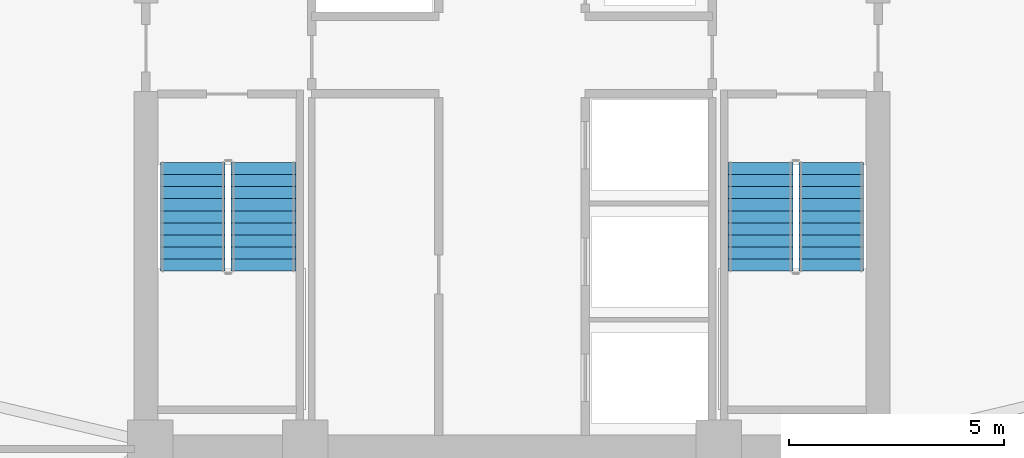
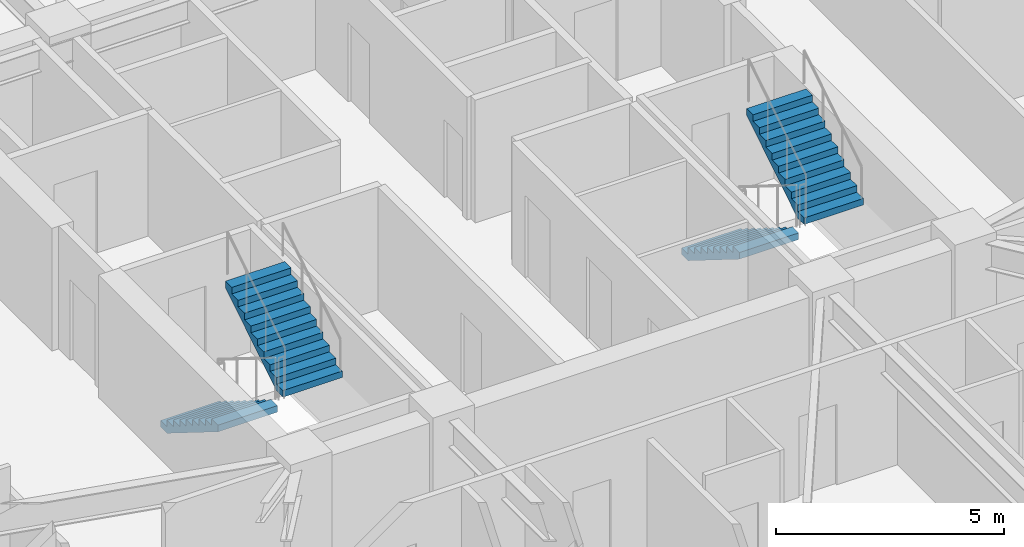
# One storey, part 6 of 10: 4 stair flights, 2 elements without a shape of their own.
"""IFC4 building model written with IfcOpenShell, lengths in metres."""

import ifcopenshell
import ifcopenshell.guid

model = None  # the IFC model being written
_history = None  # IfcOwnerHistory: only IFC2X3 demands one
_inside = {}  # id of a spatial element -> (the spatial element, [elements in it])
_under = {}  # id of a project, library or spatial element -> (it, [spatial elements below it])
_declared = {}  # id of a project -> (the project, [libraries it declares])
_typed = {}  # id of a type object -> (the type object, [elements of that type])
_made_of = {}  # id of a material, layer set ... -> (it, [elements and type objects made of it])


def new_model(schema):
    """Start an empty IFC model of exactly this schema.

    Asked for "IFC4X3", IfcOpenShell would pick the latest addendum, in which some entities
    have other attributes; the version numbers below select the first issue.
    IFC2X3 requires an IfcOwnerHistory on every rooted entity: one is made here for all.
    """
    global model, _history
    if schema == "IFC4X3":
        model = ifcopenshell.file(schema_version=(4, 3, 0, 0))
    else:
        model = ifcopenshell.file(schema=schema)
    _inside.clear()
    _under.clear()
    _declared.clear()
    _typed.clear()
    _made_of.clear()
    _history = None
    if model.schema == "IFC2X3":
        org = make("IfcOrganization", Name="unknown")
        user = make(
            "IfcPersonAndOrganization",
            ThePerson=make("IfcPerson", FamilyName="unknown"),
            TheOrganization=org,
        )
        app = make(
            "IfcApplication",
            ApplicationDeveloper=org,
            Version="unknown",
            ApplicationFullName="unknown",
            ApplicationIdentifier="unknown",
        )
        _history = make(
            "IfcOwnerHistory",
            OwningUser=user,
            OwningApplication=app,
            ChangeAction="ADDED",
            CreationDate=0,
        )
    return model


def make(cls, **values):
    """One entity of the class cls with the attributes given. An attribute that is None is left unset."""
    return model.create_entity(
        cls, **{name: value for name, value in values.items() if value is not None}
    )


def rooted(cls, **values):
    """An entity with a GlobalId (a new one), such as an element, a storey or a relation."""
    return make(cls, GlobalId=ifcopenshell.guid.new(), OwnerHistory=_history, **values)


def si_unit(unit_type, name, prefix=None):
    """IfcSIUnit, for example si_unit("LENGTHUNIT", "METRE", prefix="MILLI")."""
    return make("IfcSIUnit", UnitType=unit_type, Prefix=prefix, Name=name)


def assignment(units):
    """IfcUnitAssignment: the units of a project."""
    return None if units is None else make("IfcUnitAssignment", Units=units)


def point(xyz):
    """IfcCartesianPoint."""
    return None if xyz is None else make("IfcCartesianPoint", Coordinates=xyz)


def direction(xyz):
    """IfcDirection."""
    return None if xyz is None else make("IfcDirection", DirectionRatios=xyz)


def frame(location, z_axis=None, x_axis=None):
    """IfcAxis2Placement3D, a coordinate frame: its origin and axes. An axis left out is left unset."""
    return make(
        "IfcAxis2Placement3D",
        Location=point(location),
        Axis=direction(z_axis),
        RefDirection=direction(x_axis),
    )


def origin():
    """The frame at (0, 0, 0) with its axes left unset."""
    return frame((0.0, 0.0, 0.0))


def place(relative_to, where):
    """IfcLocalPlacement: puts the frame where relative to a parent placement (None: the world)."""
    return make(
        "IfcLocalPlacement", PlacementRelTo=relative_to, RelativePlacement=where
    )


def context(
    kind, dimensions, precision=None, world=None, true_north=None, identifier=None
):
    """IfcGeometricRepresentationContext, for example the 3D "Model" context."""
    return make(
        "IfcGeometricRepresentationContext",
        ContextIdentifier=identifier,
        ContextType=kind,
        CoordinateSpaceDimension=dimensions,
        Precision=precision,
        WorldCoordinateSystem=world,
        TrueNorth=true_north,
    )


def subcontext(parent, identifier, kind, view, scale=None):
    """IfcGeometricRepresentationSubContext, for example "Body" below "Model"."""
    return make(
        "IfcGeometricRepresentationSubContext",
        ContextIdentifier=identifier,
        ContextType=kind,
        ParentContext=parent,
        TargetScale=scale,
        TargetView=view,
    )


def project(units=None, contexts=None):
    """IfcProject with its units and contexts."""
    return rooted(
        "IfcProject",
        Name="project",
        RepresentationContexts=contexts,
        UnitsInContext=assignment(units),
    )


def spatial(cls, under=None, at=None, **own):
    """A site, building, storey or space (cls), placed at a placement, below another one or the project."""
    s = rooted(cls, ObjectPlacement=at, **own)
    if under is not None:
        _under.setdefault(under.id(), (under, []))[1].append(s)
    return s


def polyline(points):
    """IfcPolyline through the points."""
    return make("IfcPolyline", Points=[point(p) for p in points])


def outline(outer, holes=None, kind="AREA"):
    """IfcArbitraryClosedProfileDef: a profile drawn as a closed curve; with holes, ...WithVoids."""
    if holes is None:
        return make("IfcArbitraryClosedProfileDef", ProfileType=kind, OuterCurve=outer)
    return make(
        "IfcArbitraryProfileDefWithVoids",
        ProfileType=kind,
        OuterCurve=outer,
        InnerCurves=holes,
    )


def extrude(swept, where, along, depth):
    """IfcExtrudedAreaSolid: the profile swept, set in the frame where, extruded along a direction by depth."""
    return make(
        "IfcExtrudedAreaSolid",
        SweptArea=swept,
        Position=where,
        ExtrudedDirection=direction(along),
        Depth=depth,
    )


def shape(context_of_items, identifier, shape_type, items):
    """IfcShapeRepresentation: the items that make up one representation, for example the "Body"."""
    return make(
        "IfcShapeRepresentation",
        ContextOfItems=context_of_items,
        RepresentationIdentifier=identifier,
        RepresentationType=shape_type,
        Items=items,
    )


def material(Name=None, Category=None):
    """IfcMaterial."""
    return make("IfcMaterial", Name=Name, Category=Category)


def made_of(thing, what):
    """Note that an element or type object is made of a material, layer set ...; save() writes the relation."""
    if what is not None:
        _made_of.setdefault(what.id(), (what, []))[1].append(thing)
    return thing


def type_object(cls, material=None, **own):
    """A type object (cls), such as IfcWallType, which elements share."""
    return made_of(rooted(cls, **own), material)


def element(
    cls,
    number,
    at=None,
    inside=None,
    cuts=None,
    type_object=None,
    material=None,
    context=None,
    identifier="Body",
    shape_type=None,
    held_by="IfcProductDefinitionShape",
    body=None,
    shapes=None,
    **own,
):
    """One element of the class cls, such as IfcWall. Its Tag is "e" and its number.

    at: its placement. inside: the storey or other place that contains it. cuts: it is an
    opening in that element (IfcRelVoidsElement). A single representation is given by context,
    identifier, shape_type and body (its items); several are given by shapes. held_by: the class
    of the entity that holds the representations. save() writes the other relations.
    """
    e = rooted(cls, Tag="e%d" % number, ObjectPlacement=at, **own)
    if body is not None:
        shapes = [shape(context, identifier, shape_type, body)]
    if shapes is not None:
        e.Representation = make(held_by, Representations=shapes)
    if inside is not None:
        _inside.setdefault(inside.id(), (inside, []))[1].append(e)
    if cuts is not None:
        rooted(
            "IfcRelVoidsElement", RelatingBuildingElement=cuts, RelatedOpeningElement=e
        )
    if type_object is not None:
        _typed.setdefault(type_object.id(), (type_object, []))[1].append(e)
    return made_of(e, material)


def aggregate(whole, parts):
    """IfcRelAggregates: a whole, such as a stair, and the parts it consists of."""
    return rooted("IfcRelAggregates", RelatingObject=whole, RelatedObjects=parts)


def save(model, path):
    """Write the relations noted so far, then the file.

    IfcRelAggregates (storeys below a building ...), IfcRelContainedInSpatialStructure (elements
    in a storey), IfcRelDefinesByType, IfcRelAssociatesMaterial and IfcRelDeclares: one each for
    every whole, place, type object, material and project.
    """
    for whole, parts in _under.values():
        aggregate(whole, parts)
    for where, things in _inside.values():
        rooted(
            "IfcRelContainedInSpatialStructure",
            RelatedElements=things,
            RelatingStructure=where,
        )
    for kind, things in _typed.values():
        rooted("IfcRelDefinesByType", RelatedObjects=things, RelatingType=kind)
    for what, things in _made_of.values():
        rooted("IfcRelAssociatesMaterial", RelatedObjects=things, RelatingMaterial=what)
    for by, libraries in _declared.values():
        rooted("IfcRelDeclares", RelatingContext=by, RelatedDefinitions=libraries)
    model.write(path)


model = new_model("IFC4")

# Units and contexts
model_context = context("Model", 3, precision=1e-05, world=origin(), true_north=direction((0.0, 1.0)))
body_context = subcontext(model_context, "Body", "Model", "MODEL_VIEW")
ifc_project = project(units=[si_unit("LENGTHUNIT", "METRE"), si_unit("AREAUNIT", "SQUARE_METRE"), si_unit("VOLUMEUNIT", "CUBIC_METRE"), si_unit("PLANEANGLEUNIT", "RADIAN"), si_unit("MASSUNIT", "GRAM", prefix="KILO")], contexts=[model_context])

# Site, building, storey
site_placement = place(None, origin())
site = spatial("IfcSite", under=ifc_project, at=site_placement, CompositionType="ELEMENT")
building_placement = place(site_placement, origin())
building = spatial("IfcBuilding", under=site, at=building_placement, Name="Cairnveth Concourse Tower", CompositionType="ELEMENT")
storey_placement = place(building_placement, frame((0.0, 0.0, 137.5)))
storey = spatial("IfcBuildingStorey", under=building, at=storey_placement, Name="L37", CompositionType="ELEMENT", Elevation=137.5)

# Stair, stair flights
ifc_material = material(Name="Precast concrete N50 (50 MPa)", Category="concrete")
stair_type = type_object("IfcStairType", Name="CORE DOG-LEG FIRE STAIR 1500", PredefinedType="HALF_TURN_STAIR", material=ifc_material)
stair_1_placement = place(storey_placement, origin())
stair_1 = element("IfcStair", 1, at=stair_1_placement, inside=storey, type_object=stair_type, Name="L37 Fire-Isolated Stair ST-1", PredefinedType="HALF_TURN_STAIR")
stair_flight_type = type_object("IfcStairFlightType", Name="PRECAST CONCRETE STAIR FLIGHT 1500", PredefinedType="STRAIGHT", material=ifc_material)
stair_flight_1_placement = place(storey_placement, frame((44.590087890625, 37.10009765625, 0.0), z_axis=(0.0, 0.0, 1.0), x_axis=(0.0, -1.0, 0.0)))
stair_flight_1 = element("IfcStairFlight", 2, at=stair_flight_1_placement, type_object=stair_flight_type, Name="ST-1 flight 1", NumberOfRisers=10, NumberOfTreads=9, PredefinedType="STRAIGHT", RiserHeight=0.175, TreadLength=0.28, context=body_context, shape_type="SweptSolid", body=[
    extrude(outline(polyline([(0.0, 0.0), (0.0, 0.175048828125), (0.280029296875, 0.175048828125), (0.280029296875, 0.35009765625), (0.56005859375, 0.35009765625), (0.56005859375, 0.52490234375), (0.840087890625, 0.52490234375), (0.840087890625, 0.699951171875), (1.1201171875, 0.699951171875), (1.1201171875, 0.875), (1.39990234375, 0.875), (1.39990234375, 1.050048828125), (1.679931640625, 1.050048828125), (1.679931640625, 1.22509765625), (1.9599609375, 1.22509765625), (1.9599609375, 1.39990234375), (2.239990234375, 1.39990234375), (2.239990234375, 1.574951171875), (2.52001953125, 1.574951171875), (2.52001953125, 1.75), (2.52001953125, 1.398193359375), (0.28271484375, 0.0), (0.0, 0.0)])), frame((0.0, 0.75, 0.0), z_axis=(0.0, -1.0, 0.0), x_axis=(1.0, 0.0, 0.0)), (0.0, 0.0, 1.0), 1.5),
])
stair_flight_2_placement = place(storey_placement, frame((46.22998046875, 34.580078125, 1.75), z_axis=(0.0, 0.0, 1.0), x_axis=(0.0, 1.0, 0.0)))
stair_flight_2 = element("IfcStairFlight", 3, at=stair_flight_2_placement, type_object=stair_flight_type, Name="ST-1 flight 2", NumberOfRisers=10, NumberOfTreads=9, PredefinedType="STRAIGHT", RiserHeight=0.175, TreadLength=0.28, context=body_context, shape_type="SweptSolid", body=[
    extrude(outline(polyline([(0.0, 0.0), (0.0, 0.175048828125), (0.280029296875, 0.175048828125), (0.280029296875, 0.35009765625), (0.56005859375, 0.35009765625), (0.56005859375, 0.52490234375), (0.840087890625, 0.52490234375), (0.840087890625, 0.699951171875), (1.1201171875, 0.699951171875), (1.1201171875, 0.875), (1.39990234375, 0.875), (1.39990234375, 1.050048828125), (1.679931640625, 1.050048828125), (1.679931640625, 1.22509765625), (1.9599609375, 1.22509765625), (1.9599609375, 1.39990234375), (2.239990234375, 1.39990234375), (2.239990234375, 1.574951171875), (2.52001953125, 1.574951171875), (2.52001953125, 1.75), (2.52001953125, 1.398193359375), (0.28271484375, 0.0), (0.0, 0.0)])), frame((0.0, 0.75, 0.0), z_axis=(0.0, -1.0, 0.0), x_axis=(1.0, 0.0, 0.0)), (0.0, 0.0, 1.0), 1.5),
])
aggregate(stair_1, [stair_flight_1, stair_flight_2])

stair_2_placement = place(storey_placement, origin())
stair_2 = element("IfcStair", 4, at=stair_2_placement, inside=storey, type_object=stair_type, Name="L37 Fire-Isolated Stair ST-2", PredefinedType="HALF_TURN_STAIR")
stair_flight_3_placement = place(storey_placement, frame((57.77001953125, 37.10009765625, 0.0), z_axis=(0.0, 0.0, 1.0), x_axis=(0.0, -1.0, 0.0)))
stair_flight_3 = element("IfcStairFlight", 5, at=stair_flight_3_placement, type_object=stair_flight_type, Name="ST-2 flight 1", NumberOfRisers=10, NumberOfTreads=9, PredefinedType="STRAIGHT", RiserHeight=0.175, TreadLength=0.28, context=body_context, shape_type="SweptSolid", body=[
    extrude(outline(polyline([(0.0, 0.0), (0.0, 0.175048828125), (0.280029296875, 0.175048828125), (0.280029296875, 0.35009765625), (0.56005859375, 0.35009765625), (0.56005859375, 0.52490234375), (0.840087890625, 0.52490234375), (0.840087890625, 0.699951171875), (1.1201171875, 0.699951171875), (1.1201171875, 0.875), (1.39990234375, 0.875), (1.39990234375, 1.050048828125), (1.679931640625, 1.050048828125), (1.679931640625, 1.22509765625), (1.9599609375, 1.22509765625), (1.9599609375, 1.39990234375), (2.239990234375, 1.39990234375), (2.239990234375, 1.574951171875), (2.52001953125, 1.574951171875), (2.52001953125, 1.75), (2.52001953125, 1.398193359375), (0.28271484375, 0.0), (0.0, 0.0)])), frame((0.0, 0.75, 0.0), z_axis=(0.0, -1.0, 0.0), x_axis=(1.0, 0.0, 0.0)), (0.0, 0.0, 1.0), 1.5),
])
stair_flight_4_placement = place(storey_placement, frame((59.409912109375, 34.580078125, 1.75), z_axis=(0.0, 0.0, 1.0), x_axis=(0.0, 1.0, 0.0)))
stair_flight_4 = element("IfcStairFlight", 6, at=stair_flight_4_placement, type_object=stair_flight_type, Name="ST-2 flight 2", NumberOfRisers=10, NumberOfTreads=9, PredefinedType="STRAIGHT", RiserHeight=0.175, TreadLength=0.28, context=body_context, shape_type="SweptSolid", body=[
    extrude(outline(polyline([(0.0, 0.0), (0.0, 0.175048828125), (0.280029296875, 0.175048828125), (0.280029296875, 0.35009765625), (0.56005859375, 0.35009765625), (0.56005859375, 0.52490234375), (0.840087890625, 0.52490234375), (0.840087890625, 0.699951171875), (1.1201171875, 0.699951171875), (1.1201171875, 0.875), (1.39990234375, 0.875), (1.39990234375, 1.050048828125), (1.679931640625, 1.050048828125), (1.679931640625, 1.22509765625), (1.9599609375, 1.22509765625), (1.9599609375, 1.39990234375), (2.239990234375, 1.39990234375), (2.239990234375, 1.574951171875), (2.52001953125, 1.574951171875), (2.52001953125, 1.75), (2.52001953125, 1.398193359375), (0.28271484375, 0.0), (0.0, 0.0)])), frame((0.0, 0.75, 0.0), z_axis=(0.0, -1.0, 0.0), x_axis=(1.0, 0.0, 0.0)), (0.0, 0.0, 1.0), 1.5),
])
aggregate(stair_2, [stair_flight_3, stair_flight_4])

save(model, "model.ifc")
